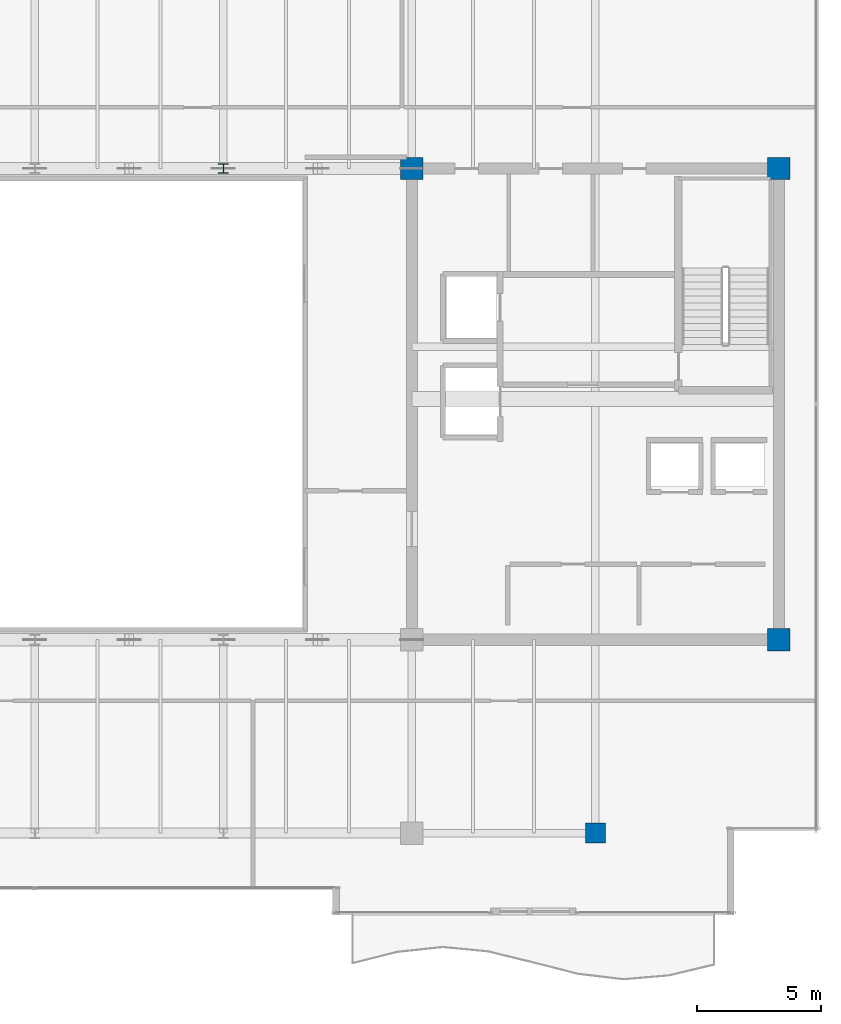
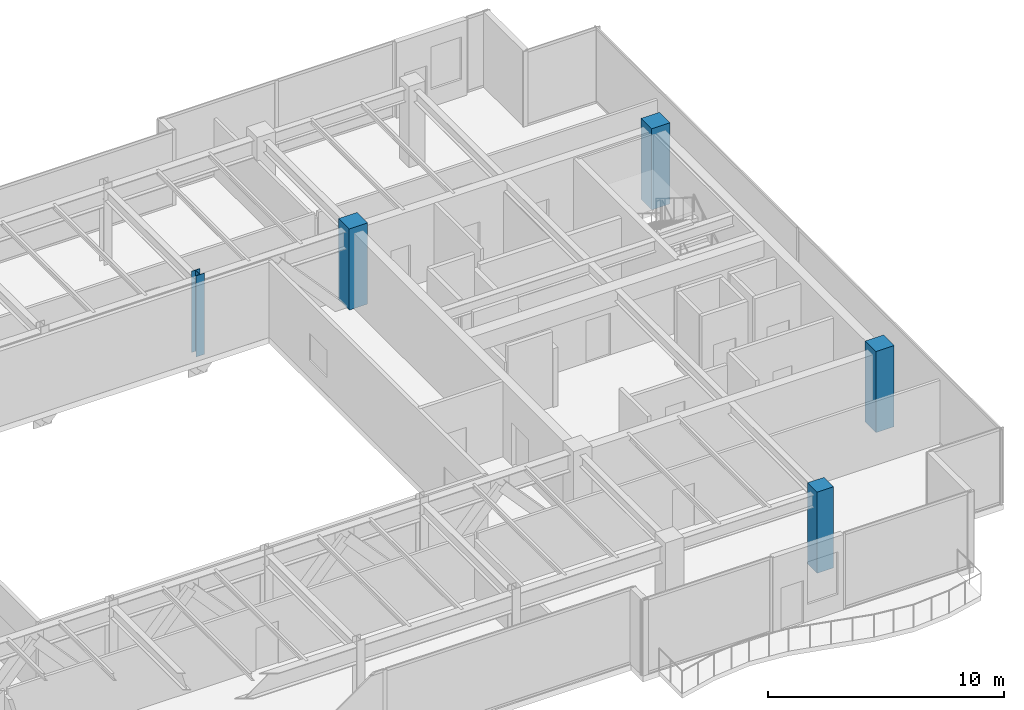
# One storey, part 2 of 31: 5 columns.
"""IFC4 building model written with IfcOpenShell, lengths in metres."""

from ifc_helpers import new_model, si_unit, direction, frame, origin, origin_2d, place, context, subcontext, project, spatial, rectangle, i_section, extrude, source, transform, mapped, material, material_profile, profile_set, type_object, type_shapes, element, save


model = new_model("IFC4")

# Units and contexts
model_context = context("Model", 3, precision=1e-05, world=origin(), true_north=direction((0.0, 1.0)))
body_context = subcontext(model_context, "Body", "Model", "MODEL_VIEW")
ifc_project = project(units=[si_unit("LENGTHUNIT", "METRE"), si_unit("AREAUNIT", "SQUARE_METRE"), si_unit("VOLUMEUNIT", "CUBIC_METRE"), si_unit("PLANEANGLEUNIT", "RADIAN"), si_unit("MASSUNIT", "GRAM", prefix="KILO")], contexts=[model_context])

# Site, building, storey
site_placement = place(None, origin())
site = spatial("IfcSite", under=ifc_project, at=site_placement, CompositionType="ELEMENT")
building_placement = place(site_placement, origin())
building = spatial("IfcBuilding", under=site, at=building_placement, Name="Haelvirn Gate Laboratories", CompositionType="ELEMENT")
storey_placement = place(building_placement, frame((0.0, 0.0, 310.199951171875)))
storey = spatial("IfcBuildingStorey", under=building, at=storey_placement, Name="L74", CompositionType="ELEMENT", Elevation=310.199951171875)

# Columns
ifc_material_1 = material(Name="Concrete C50/60", Category="concrete")
ifc_material_profile_1 = material_profile(ifc_material_1, rectangle(XDim=0.800048828125, YDim=0.800048828125, at=origin_2d()), Name="RC-800x800")
ifc_profile_set_1 = profile_set([ifc_material_profile_1], Name="Concrete C50/60")
column_type_1 = type_object("IfcColumnType", Name="COL-RC-800", PredefinedType="COLUMN", material=ifc_profile_set_1)
shared_shape_1 = source(origin(), body_context, "Body", "SweptSolid", [
    extrude(rectangle(XDim=0.800048828125, YDim=0.800048828125, at=origin_2d()), origin(), (0.0, 0.0, 1.0), 4.199951171875),
])
type_shapes(column_type_1, [shared_shape_1])
column_1_placement = place(storey_placement, frame((60.0, 7.0, 0.0), z_axis=(0.0, 0.0, 1.0), x_axis=(1.0, 0.0, 0.0)))
element("IfcColumn", 1, at=column_1_placement, inside=storey, type_object=column_type_1, Name="L74 Column 9B", PredefinedType="COLUMN", context=body_context, shape_type="MappedRepresentation", body=[
    mapped(shared_shape_1, transform((0.0, 0.0, 0.0), scale=1.0)),
])
ifc_material_profile_2 = material_profile(ifc_material_1, rectangle(XDim=0.89990234375, YDim=0.89990234375, at=origin_2d()), Name="RC-900x900")
ifc_profile_set_2 = profile_set([ifc_material_profile_2], Name="Concrete C50/60")
column_type_2 = type_object("IfcColumnType", Name="COL-RC-900", PredefinedType="COLUMN", material=ifc_profile_set_2)
shared_shape_2 = source(origin(), body_context, "Body", "SweptSolid", [
    extrude(rectangle(XDim=0.89990234375, YDim=0.89990234375, at=origin_2d()), origin(), (0.0, 0.0, 1.0), 4.199951171875),
])
type_shapes(column_type_2, [shared_shape_2])
for number, where, z_axis, x_axis, name in (
    (2, (67.39990234375, 14.800048828125, 0.0), (0.0, 0.0, 1.0), (1.0, 0.0, 0.0), "L74 Column 10C"),
    (3, (52.60009765625, 33.800048828125, 0.0), (0.0, 0.0, 1.0), (1.0, 0.0, 0.0), "L74 Column 8F"),
    (4, (67.39990234375, 33.800048828125, 0.0), (0.0, 0.0, 1.0), (1.0, 0.0, 0.0), "L74 Column 10F"),
):
    element("IfcColumn", number, at=place(storey_placement, frame(where, z_axis=z_axis, x_axis=x_axis)), inside=storey, type_object=column_type_2, Name=name, PredefinedType="COLUMN", context=body_context, shape_type="MappedRepresentation", body=[
        mapped(shared_shape_2, transform((0.0, 0.0, 0.0), scale=1.0)),
    ])
ifc_material_2 = material(Name="Steel SM355", Category="steel")
ifc_material_profile_3 = material_profile(ifc_material_2, i_section(OverallWidth=0.39990234375, OverallDepth=0.39990234375, WebThickness=0.02099609375, FlangeThickness=0.02099609375, at=origin_2d()), Name="H-400x400x21x21")
ifc_profile_set_3 = profile_set([ifc_material_profile_3], Name="Steel SM355")
column_type_3 = type_object("IfcColumnType", Name="COL-H-400", PredefinedType="COLUMN", material=ifc_profile_set_3)
shared_shape_3 = source(origin(), body_context, "Body", "SweptSolid", [
    extrude(i_section(OverallWidth=0.39990234375, OverallDepth=0.39990234375, WebThickness=0.02099609375, FlangeThickness=0.02099609375, at=origin_2d()), origin(), (0.0, 0.0, 1.0), 4.199951171875),
])
type_shapes(column_type_3, [shared_shape_3])
column_2_placement = place(storey_placement, frame((45.0, 33.800048828125, 0.0), z_axis=(0.0, 0.0, 1.0), x_axis=(1.0, 0.0, 0.0)))
element("IfcColumn", 5, at=column_2_placement, inside=storey, type_object=column_type_3, Name="L74 Column 7F", PredefinedType="COLUMN", context=body_context, shape_type="MappedRepresentation", body=[
    mapped(shared_shape_3, transform((0.0, 0.0, 0.0), scale=1.0)),
])

save(model, "model.ifc")
